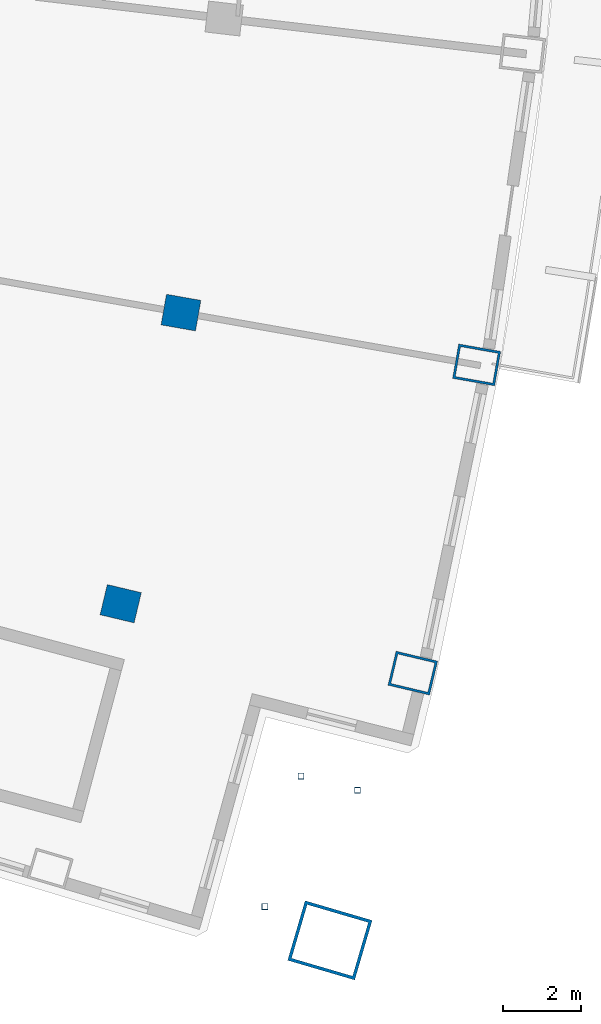
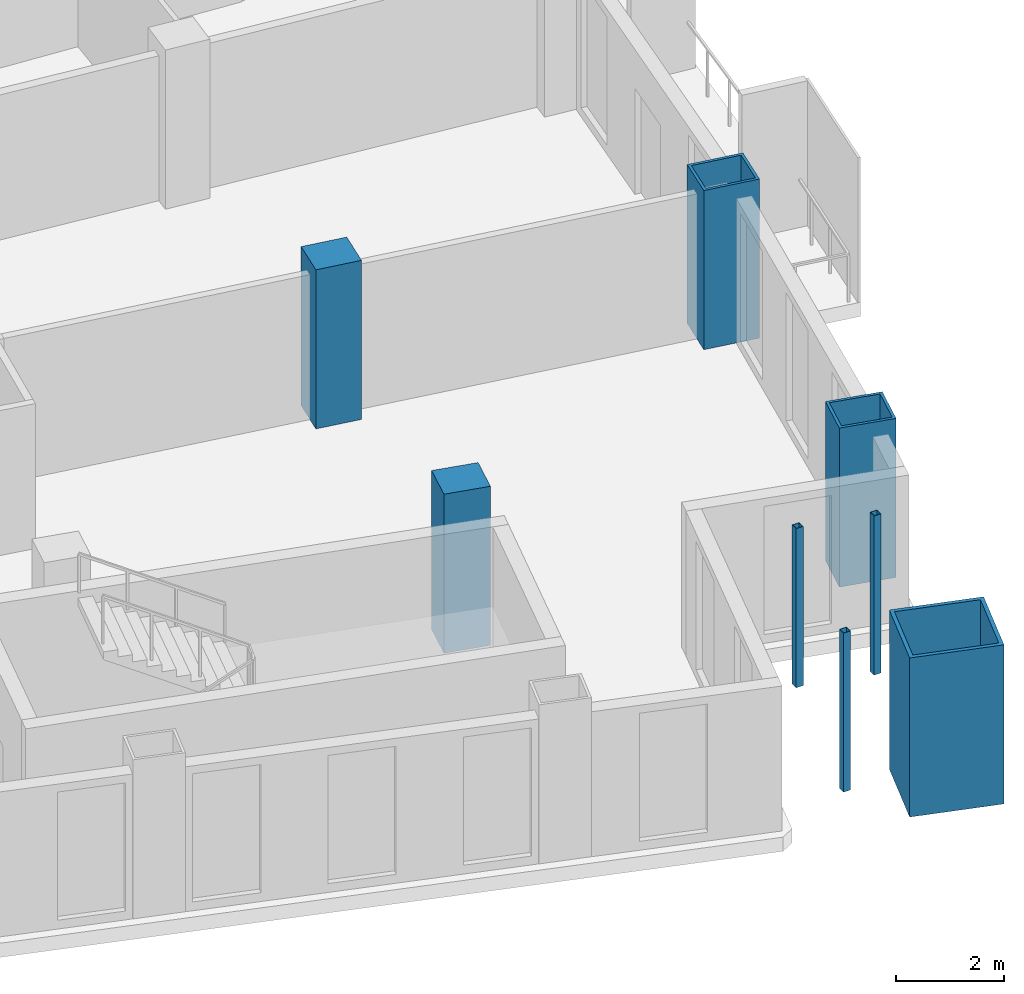
# One storey, part 3 of 19: 8 columns.
"""IFC4 building model written with IfcOpenShell, lengths in metres."""

import ifcopenshell
import ifcopenshell.guid

model = None  # the IFC model being written
_history = None  # IfcOwnerHistory: only IFC2X3 demands one
_inside = {}  # id of a spatial element -> (the spatial element, [elements in it])
_under = {}  # id of a project, library or spatial element -> (it, [spatial elements below it])
_declared = {}  # id of a project -> (the project, [libraries it declares])
_typed = {}  # id of a type object -> (the type object, [elements of that type])
_made_of = {}  # id of a material, layer set ... -> (it, [elements and type objects made of it])


def new_model(schema):
    """Start an empty IFC model of exactly this schema.

    Asked for "IFC4X3", IfcOpenShell would pick the latest addendum, in which some entities
    have other attributes; the version numbers below select the first issue.
    IFC2X3 requires an IfcOwnerHistory on every rooted entity: one is made here for all.
    """
    global model, _history
    if schema == "IFC4X3":
        model = ifcopenshell.file(schema_version=(4, 3, 0, 0))
    else:
        model = ifcopenshell.file(schema=schema)
    _inside.clear()
    _under.clear()
    _declared.clear()
    _typed.clear()
    _made_of.clear()
    _history = None
    if model.schema == "IFC2X3":
        org = make("IfcOrganization", Name="unknown")
        user = make(
            "IfcPersonAndOrganization",
            ThePerson=make("IfcPerson", FamilyName="unknown"),
            TheOrganization=org,
        )
        app = make(
            "IfcApplication",
            ApplicationDeveloper=org,
            Version="unknown",
            ApplicationFullName="unknown",
            ApplicationIdentifier="unknown",
        )
        _history = make(
            "IfcOwnerHistory",
            OwningUser=user,
            OwningApplication=app,
            ChangeAction="ADDED",
            CreationDate=0,
        )
    return model


def make(cls, **values):
    """One entity of the class cls with the attributes given. An attribute that is None is left unset."""
    return model.create_entity(
        cls, **{name: value for name, value in values.items() if value is not None}
    )


def rooted(cls, **values):
    """An entity with a GlobalId (a new one), such as an element, a storey or a relation."""
    return make(cls, GlobalId=ifcopenshell.guid.new(), OwnerHistory=_history, **values)


def si_unit(unit_type, name, prefix=None):
    """IfcSIUnit, for example si_unit("LENGTHUNIT", "METRE", prefix="MILLI")."""
    return make("IfcSIUnit", UnitType=unit_type, Prefix=prefix, Name=name)


def assignment(units):
    """IfcUnitAssignment: the units of a project."""
    return None if units is None else make("IfcUnitAssignment", Units=units)


def point(xyz):
    """IfcCartesianPoint."""
    return None if xyz is None else make("IfcCartesianPoint", Coordinates=xyz)


def direction(xyz):
    """IfcDirection."""
    return None if xyz is None else make("IfcDirection", DirectionRatios=xyz)


def frame(location, z_axis=None, x_axis=None):
    """IfcAxis2Placement3D, a coordinate frame: its origin and axes. An axis left out is left unset."""
    return make(
        "IfcAxis2Placement3D",
        Location=point(location),
        Axis=direction(z_axis),
        RefDirection=direction(x_axis),
    )


def frame_2d(location, x_axis=None):
    """IfcAxis2Placement2D, a coordinate frame in the plane: its origin and x axis."""
    return make(
        "IfcAxis2Placement2D", Location=point(location), RefDirection=direction(x_axis)
    )


def origin():
    """The frame at (0, 0, 0) with its axes left unset."""
    return frame((0.0, 0.0, 0.0))


def origin_2d():
    """The frame at (0, 0) in the plane with its x axis left unset."""
    return frame_2d((0.0, 0.0))


def place(relative_to, where):
    """IfcLocalPlacement: puts the frame where relative to a parent placement (None: the world)."""
    return make(
        "IfcLocalPlacement", PlacementRelTo=relative_to, RelativePlacement=where
    )


def context(
    kind, dimensions, precision=None, world=None, true_north=None, identifier=None
):
    """IfcGeometricRepresentationContext, for example the 3D "Model" context."""
    return make(
        "IfcGeometricRepresentationContext",
        ContextIdentifier=identifier,
        ContextType=kind,
        CoordinateSpaceDimension=dimensions,
        Precision=precision,
        WorldCoordinateSystem=world,
        TrueNorth=true_north,
    )


def subcontext(parent, identifier, kind, view, scale=None):
    """IfcGeometricRepresentationSubContext, for example "Body" below "Model"."""
    return make(
        "IfcGeometricRepresentationSubContext",
        ContextIdentifier=identifier,
        ContextType=kind,
        ParentContext=parent,
        TargetScale=scale,
        TargetView=view,
    )


def project(units=None, contexts=None):
    """IfcProject with its units and contexts."""
    return rooted(
        "IfcProject",
        Name="project",
        RepresentationContexts=contexts,
        UnitsInContext=assignment(units),
    )


def spatial(cls, under=None, at=None, **own):
    """A site, building, storey or space (cls), placed at a placement, below another one or the project."""
    s = rooted(cls, ObjectPlacement=at, **own)
    if under is not None:
        _under.setdefault(under.id(), (under, []))[1].append(s)
    return s


def profile(cls, at=None, kind="AREA", **sizes):
    """A parametric profile (cls). Its sizes go by their IFC names, for example OverallWidth=200.0."""
    return make(cls, ProfileType=kind, Position=at, **sizes)


def rectangle(**sizes):
    """IfcRectangleProfileDef."""
    return profile("IfcRectangleProfileDef", **sizes)


def hollow_rectangle(**sizes):
    """IfcRectangleHollowProfileDef."""
    return profile("IfcRectangleHollowProfileDef", **sizes)


def extrude(swept, where, along, depth):
    """IfcExtrudedAreaSolid: the profile swept, set in the frame where, extruded along a direction by depth."""
    return make(
        "IfcExtrudedAreaSolid",
        SweptArea=swept,
        Position=where,
        ExtrudedDirection=direction(along),
        Depth=depth,
    )


def shape(context_of_items, identifier, shape_type, items):
    """IfcShapeRepresentation: the items that make up one representation, for example the "Body"."""
    return make(
        "IfcShapeRepresentation",
        ContextOfItems=context_of_items,
        RepresentationIdentifier=identifier,
        RepresentationType=shape_type,
        Items=items,
    )


def material(Name=None, Category=None):
    """IfcMaterial."""
    return make("IfcMaterial", Name=Name, Category=Category)


def material_profile(
    of_material, cross_section, Name=None, Category=None, Priority=None
):
    """IfcMaterialProfile: a cross section and its material."""
    return make(
        "IfcMaterialProfile",
        Name=Name,
        Material=of_material,
        Profile=cross_section,
        Priority=Priority,
        Category=Category,
    )


def profile_set(profiles, Name=None, composite=None):
    """IfcMaterialProfileSet."""
    return make(
        "IfcMaterialProfileSet",
        Name=Name,
        MaterialProfiles=profiles,
        CompositeProfile=composite,
    )


def made_of(thing, what):
    """Note that an element or type object is made of a material, layer set ...; save() writes the relation."""
    if what is not None:
        _made_of.setdefault(what.id(), (what, []))[1].append(thing)
    return thing


def type_object(cls, material=None, **own):
    """A type object (cls), such as IfcWallType, which elements share."""
    return made_of(rooted(cls, **own), material)


def element(
    cls,
    number,
    at=None,
    inside=None,
    cuts=None,
    type_object=None,
    material=None,
    context=None,
    identifier="Body",
    shape_type=None,
    held_by="IfcProductDefinitionShape",
    body=None,
    shapes=None,
    **own,
):
    """One element of the class cls, such as IfcWall. Its Tag is "e" and its number.

    at: its placement. inside: the storey or other place that contains it. cuts: it is an
    opening in that element (IfcRelVoidsElement). A single representation is given by context,
    identifier, shape_type and body (its items); several are given by shapes. held_by: the class
    of the entity that holds the representations. save() writes the other relations.
    """
    e = rooted(cls, Tag="e%d" % number, ObjectPlacement=at, **own)
    if body is not None:
        shapes = [shape(context, identifier, shape_type, body)]
    if shapes is not None:
        e.Representation = make(held_by, Representations=shapes)
    if inside is not None:
        _inside.setdefault(inside.id(), (inside, []))[1].append(e)
    if cuts is not None:
        rooted(
            "IfcRelVoidsElement", RelatingBuildingElement=cuts, RelatedOpeningElement=e
        )
    if type_object is not None:
        _typed.setdefault(type_object.id(), (type_object, []))[1].append(e)
    return made_of(e, material)


def aggregate(whole, parts):
    """IfcRelAggregates: a whole, such as a stair, and the parts it consists of."""
    return rooted("IfcRelAggregates", RelatingObject=whole, RelatedObjects=parts)


def save(model, path):
    """Write the relations noted so far, then the file.

    IfcRelAggregates (storeys below a building ...), IfcRelContainedInSpatialStructure (elements
    in a storey), IfcRelDefinesByType, IfcRelAssociatesMaterial and IfcRelDeclares: one each for
    every whole, place, type object, material and project.
    """
    for whole, parts in _under.values():
        aggregate(whole, parts)
    for where, things in _inside.values():
        rooted(
            "IfcRelContainedInSpatialStructure",
            RelatedElements=things,
            RelatingStructure=where,
        )
    for kind, things in _typed.values():
        rooted("IfcRelDefinesByType", RelatedObjects=things, RelatingType=kind)
    for what, things in _made_of.values():
        rooted("IfcRelAssociatesMaterial", RelatedObjects=things, RelatingMaterial=what)
    for by, libraries in _declared.values():
        rooted("IfcRelDeclares", RelatingContext=by, RelatedDefinitions=libraries)
    model.write(path)


model = new_model("IFC4")

# Units and contexts
model_context = context("Model", 3, precision=1e-05, world=origin(), true_north=direction((0.0, 1.0)))
body_context = subcontext(model_context, "Body", "Model", "MODEL_VIEW")
ifc_project = project(units=[si_unit("LENGTHUNIT", "METRE"), si_unit("AREAUNIT", "SQUARE_METRE"), si_unit("VOLUMEUNIT", "CUBIC_METRE"), si_unit("PLANEANGLEUNIT", "RADIAN"), si_unit("MASSUNIT", "GRAM", prefix="KILO")], contexts=[model_context])

# Site, building, storey
site_placement = place(None, origin())
site = spatial("IfcSite", under=ifc_project, at=site_placement, CompositionType="ELEMENT")
building_placement = place(site_placement, origin())
building = spatial("IfcBuilding", under=site, at=building_placement, Name="Alderwake Tower", CompositionType="ELEMENT")
storey_placement = place(building_placement, frame((0.0, 0.0, 174.800048828125)))
storey = spatial("IfcBuildingStorey", under=building, at=storey_placement, Name="L43", CompositionType="ELEMENT", Elevation=174.800048828125)

# Columns
ifc_material_1 = material(Name="Concrete C70/85", Category="concrete")
ifc_material_profile_1 = material_profile(ifc_material_1, rectangle(XDim=0.800048828125, YDim=0.89990234375, at=origin_2d()), Name="RC 900X800")
ifc_profile_set_1 = profile_set([ifc_material_profile_1], Name="Concrete C70/85")
column_type_1 = type_object("IfcColumnType", Name="Interior column Z3", PredefinedType="COLUMN", material=ifc_profile_set_1)
for number, where, z_axis, x_axis, name in (
    (1, (47.70947265625, 30.648193359375, 0.0), (0.0, 0.0, 1.0), (0.231221547198, 0.972901123502, 0.0), "Column R03-C4"),
    (2, (49.26171875, 38.1455078125, 0.0), (0.0, 0.0, 1.0), (0.174108800747, 0.984726421654, 0.0), "Column R04-C4"),
):
    element("IfcColumn", number, at=place(storey_placement, frame(where, z_axis=z_axis, x_axis=x_axis)), inside=storey, type_object=column_type_1, Name=name, PredefinedType="COLUMN", context=body_context, shape_type="SweptSolid", body=[
        extrude(rectangle(XDim=0.800048828125, YDim=0.89990234375, at=origin_2d()), origin(), (0.0, 0.0, 1.0), 3.599853515625),
    ])
ifc_material_2 = material(Name="Steel ASTM A500 Grade C", Category="steel")
ifc_material_profile_2 = material_profile(ifc_material_2, hollow_rectangle(XDim=0.15234375, YDim=0.15234375, WallThickness=0.0087890625, at=origin_2d()), Name="HSS6X6X3/8")
ifc_profile_set_2 = profile_set([ifc_material_profile_2], Name="Steel ASTM A500 Grade C")
column_type_2 = type_object("IfcColumnType", Name="Light post HSS6X6X3/8", PredefinedType="COLUMN", material=ifc_profile_set_2)
for number, where, z_axis, x_axis, name in (
    (3, (53.807861328125, 25.840576171875, 0.0), (0.0, 0.0, 1.0), (1.0, 0.0, 0.0), "Terrace post FS1"),
    (4, (51.42431640625, 22.847900390625, 0.0), (0.0, 0.0, 1.0), (1.0, 0.0, 0.0), "Terrace post FS2"),
    (5, (52.353759765625, 26.208740234375, 0.0), (0.0, 0.0, 1.0), (1.0, 0.0, 0.0), "Terrace post FS3"),
):
    element("IfcColumn", number, at=place(storey_placement, frame(where, z_axis=z_axis, x_axis=x_axis)), inside=storey, type_object=column_type_2, Name=name, PredefinedType="COLUMN", context=body_context, shape_type="SweptSolid", body=[
        extrude(hollow_rectangle(XDim=0.15234375, YDim=0.15234375, WallThickness=0.0087890625, at=origin_2d()), origin(), (0.0, 0.0, 1.0), 3.599853515625),
    ])
ifc_material_3 = material(Name="Steel ASTM A572 Grade 50 concrete filled C70/85", Category="concrete")
ifc_material_profile_3 = material_profile(ifc_material_3, hollow_rectangle(XDim=1.60009765625, YDim=1.800048828125, WallThickness=0.080078125, at=origin_2d()), Name="BOX 1800X1600X80")
ifc_profile_set_3 = profile_set([ifc_material_profile_3], Name="Steel ASTM A572 Grade 50 concrete filled C70/85")
column_type_3 = type_object("IfcColumnType", Name="Mega column Z3", PredefinedType="COLUMN", material=ifc_profile_set_3)
column_placement = place(storey_placement, frame((53.09765625, 21.977783203125, 0.0), z_axis=(0.0, 0.0, 1.0), x_axis=(0.281341735468, 0.959607642677, 0.0)))
element("IfcColumn", 6, at=column_placement, inside=storey, type_object=column_type_3, Name="Column R02-C5", PredefinedType="COLUMN", context=body_context, shape_type="SweptSolid", body=[
    extrude(hollow_rectangle(XDim=1.60009765625, YDim=1.800048828125, WallThickness=0.080078125, at=origin_2d()), origin(), (0.0, 0.0, 1.0), 3.599853515625),
])
ifc_material_4 = material(Name="Steel ASTM A572 Grade 50 concrete filled C70/85", Category="concrete")
ifc_material_profile_4 = material_profile(ifc_material_4, hollow_rectangle(XDim=0.89990234375, YDim=1.10009765625, WallThickness=0.06005859375, at=origin_2d()), Name="BOX 1100X900X60")
ifc_profile_set_4 = profile_set([ifc_material_profile_4], Name="Steel ASTM A572 Grade 50 concrete filled C70/85")
column_type_4 = type_object("IfcColumnType", Name="Perimeter column Z3", PredefinedType="COLUMN", material=ifc_profile_set_4)
for number, where, z_axis, x_axis, name in (
    (7, (55.233154296875, 28.860107421875, 0.0), (0.0, 0.0, 1.0), (0.231221547198, 0.972901123502, 0.0), "Column R03-C5"),
    (8, (56.876953125, 36.799072265625, 0.0), (0.0, 0.0, 1.0), (0.174107082075, 0.984726725529, 0.0), "Column R04-C5"),
):
    element("IfcColumn", number, at=place(storey_placement, frame(where, z_axis=z_axis, x_axis=x_axis)), inside=storey, type_object=column_type_4, Name=name, PredefinedType="COLUMN", context=body_context, shape_type="SweptSolid", body=[
        extrude(hollow_rectangle(XDim=0.89990234375, YDim=1.10009765625, WallThickness=0.06005859375, at=origin_2d()), origin(), (0.0, 0.0, 1.0), 3.599853515625),
    ])

save(model, "model.ifc")
